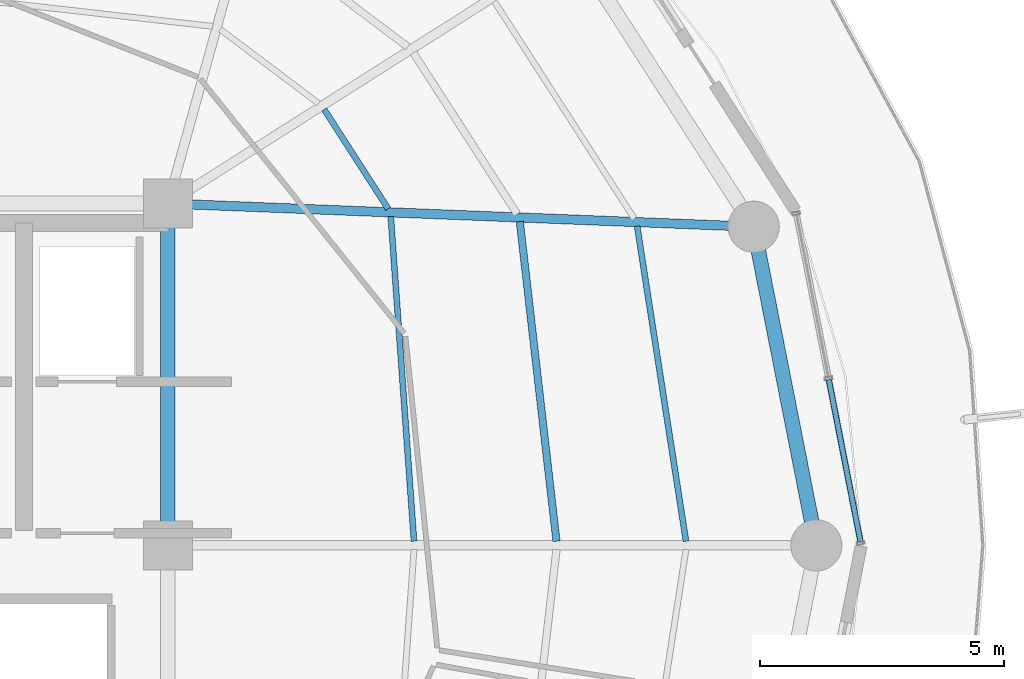
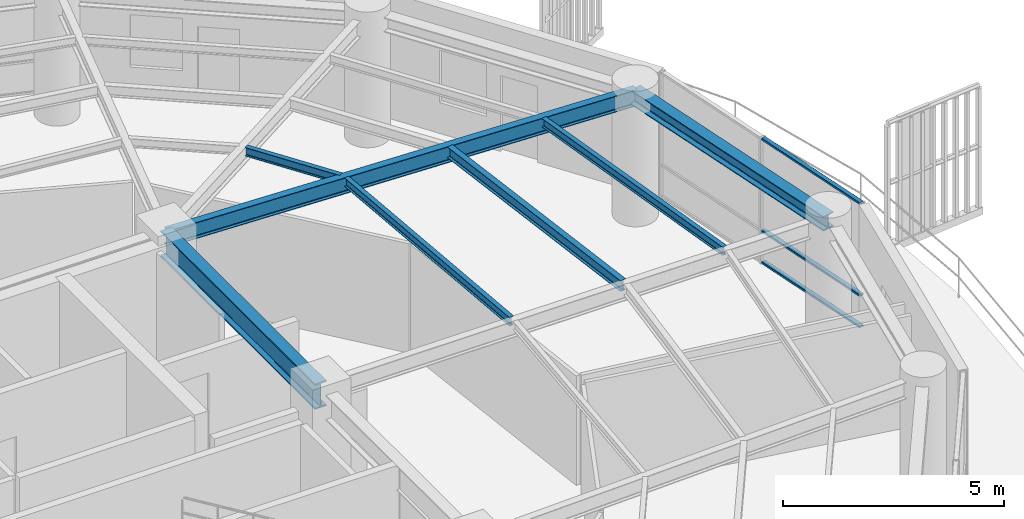
# One storey, part 15 of 31: 7 beams, 3 members, 1 element without a shape of its own.
"""IFC4 building model written with IfcOpenShell, lengths in metres."""

from ifc_helpers import new_model, si_unit, direction, frame, origin, origin_2d, place, context, subcontext, project, spatial, hollow_rectangle, i_section, extrude, material, layer, layer_set, material_profile, profile_set, type_object, element, aggregate, save


model = new_model("IFC4")

# Units and contexts
model_context = context("Model", 3, precision=1e-05, world=origin(), true_north=direction((0.0, 1.0)))
body_context = subcontext(model_context, "Body", "Model", "MODEL_VIEW")
ifc_project = project(units=[si_unit("LENGTHUNIT", "METRE"), si_unit("AREAUNIT", "SQUARE_METRE"), si_unit("VOLUMEUNIT", "CUBIC_METRE"), si_unit("PLANEANGLEUNIT", "RADIAN"), si_unit("MASSUNIT", "GRAM", prefix="KILO")], contexts=[model_context])

# Site, building, storey
site_placement = place(None, origin())
site = spatial("IfcSite", under=ifc_project, at=site_placement, CompositionType="ELEMENT")
building_placement = place(site_placement, origin())
building = spatial("IfcBuilding", under=site, at=building_placement, Name="Kelanora Arch Commons", CompositionType="ELEMENT")
storey_placement = place(building_placement, frame((0.0, 0.0, 226.949951171875)))
storey = spatial("IfcBuildingStorey", under=building, at=storey_placement, Name="L58", CompositionType="ELEMENT", Elevation=226.949951171875)

# Beams
ifc_material_1 = material(Name="Steel S355", Category="steel")
ifc_material_profile_1 = material_profile(ifc_material_1, i_section(OverallWidth=0.300048828125, OverallDepth=0.699951171875, WebThickness=0.01708984375, FlangeThickness=0.031982421875, FilletRadius=0.027099609375, at=origin_2d()), Name="HEB700")
ifc_profile_set_1 = profile_set([ifc_material_profile_1], Name="Steel S355")
beam_type_1 = type_object("IfcBeamType", Name="BM-CORE-HDR", PredefinedType="BEAM", material=ifc_profile_set_1)
beam_1_placement = place(storey_placement, frame((82.0, 58.0, 3.14013671875), z_axis=(0.0, 1.0, 0.0), x_axis=(-1.0, 0.0, 0.0)))
element("IfcBeam", 1, at=beam_1_placement, inside=storey, type_object=beam_type_1, Name="Core Header Beam 04 L58", PredefinedType="BEAM", context=body_context, shape_type="SweptSolid", body=[
    extrude(i_section(OverallWidth=0.300048828125, OverallDepth=0.699951171875, WebThickness=0.01708984375, FlangeThickness=0.031982421875, FilletRadius=0.027099609375, at=origin_2d()), origin(), (0.0, 0.0, 1.0), 7.0),
])
ifc_material_profile_2 = material_profile(ifc_material_1, i_section(OverallWidth=0.14990234375, OverallDepth=0.300048828125, WebThickness=0.007080078125, FlangeThickness=0.0107421875, FilletRadius=0.014892578125, at=origin_2d()), Name="IPE300")
ifc_profile_set_2 = profile_set([ifc_material_profile_2], Name="Steel S355")
beam_type_2 = type_object("IfcBeamType", Name="BM-JST-01", PredefinedType="JOIST", material=ifc_profile_set_2)
beam_2_placement = place(storey_placement, frame((89.958251953125, 58.08447265625, 3.340087890625), z_axis=(-0.113891408177, 0.993493204377, 0.0), x_axis=(-0.993493204377, -0.113891408177, 0.0)))
element("IfcBeam", 2, at=beam_2_placement, inside=storey, type_object=beam_type_2, Name="Secondary Chord Joist BJB-00 L58", PredefinedType="JOIST", context=body_context, shape_type="SweptSolid", body=[
    extrude(i_section(OverallWidth=0.14990234375, OverallDepth=0.300048828125, WebThickness=0.007080078125, FlangeThickness=0.0107421875, FilletRadius=0.014892578125, at=origin_2d()), origin(), (0.0, 0.0, 1.0), 6.589599609375),
])
ifc_material_profile_3 = material_profile(ifc_material_1, i_section(OverallWidth=0.1201171875, OverallDepth=0.239990234375, WebThickness=0.006103515625, FlangeThickness=0.009765625, FilletRadius=0.014892578125, at=origin_2d()), Name="IPE240")
ifc_profile_set_3 = profile_set([ifc_material_profile_3], Name="Steel S355")
beam_type_3 = type_object("IfcBeamType", Name="BM-JST-02", PredefinedType="JOIST", material=ifc_profile_set_3)
beam_3_placement = place(storey_placement, frame((87.040283203125, 58.084716796875, 3.3701171875), z_axis=(-0.07133032136, 0.997452748382, 0.0), x_axis=(-0.997452748382, -0.07133032136, 0.0)))
element("IfcBeam", 3, at=beam_3_placement, inside=storey, type_object=beam_type_3, Name="Secondary Chord Joist BJA-00 L58", PredefinedType="JOIST", context=body_context, shape_type="SweptSolid", body=[
    extrude(i_section(OverallWidth=0.1201171875, OverallDepth=0.239990234375, WebThickness=0.006103515625, FlangeThickness=0.009765625, FilletRadius=0.014892578125, at=origin_2d()), origin(), (0.0, 0.0, 1.0), 6.66748046875),
])
beam_4_placement = place(storey_placement, frame((92.611083984375, 58.083984375, 3.3701171875), z_axis=(-0.153256756152, 0.988186402808, 0.0), x_axis=(-0.988186402808, -0.153256756152, 0.0)))
element("IfcBeam", 4, at=beam_4_placement, inside=storey, type_object=beam_type_3, Name="Secondary Chord Joist BJC-00 L58", PredefinedType="JOIST", context=body_context, shape_type="SweptSolid", body=[
    extrude(i_section(OverallWidth=0.1201171875, OverallDepth=0.239990234375, WebThickness=0.006103515625, FlangeThickness=0.009765625, FilletRadius=0.014892578125, at=origin_2d()), origin(), (0.0, 0.0, 1.0), 6.52978515625),
])
beam_5_placement = place(storey_placement, frame((86.5126953125, 64.89111328125, 3.3701171875), z_axis=(-0.541332763503, 0.840808443796, 0.0), x_axis=(-0.840808443796, -0.541332763503, 0.0)))
element("IfcBeam", 5, at=beam_5_placement, inside=storey, type_object=beam_type_3, Name="Secondary Chord Joist BJA-02 L58", PredefinedType="JOIST", context=body_context, shape_type="SweptSolid", body=[
    extrude(i_section(OverallWidth=0.1201171875, OverallDepth=0.239990234375, WebThickness=0.006103515625, FlangeThickness=0.009765625, FilletRadius=0.014892578125, at=origin_2d()), origin(), (0.0, 0.0, 1.0), 2.423583984375),
])
ifc_material_profile_4 = material_profile(ifc_material_1, i_section(OverallWidth=0.18994140625, OverallDepth=0.449951171875, WebThickness=0.009521484375, FlangeThickness=0.0146484375, FilletRadius=0.02099609375, at=origin_2d()), Name="IPE450")
ifc_profile_set_4 = profile_set([ifc_material_profile_4], Name="Steel S355")
beam_type_4 = type_object("IfcBeamType", Name="BM-RAD-Z4", PredefinedType="BEAM", material=ifc_profile_set_4)
beam_6_placement = place(storey_placement, frame((82.0, 65.0, 3.26513671875), z_axis=(0.999219142585, -0.03951082246, 0.0), x_axis=(0.03951082246, 0.999219142585, 0.0)))
element("IfcBeam", 6, at=beam_6_placement, inside=storey, type_object=beam_type_4, Name="Radial Floor Girder BR-02 L58", PredefinedType="BEAM", context=body_context, shape_type="SweptSolid", body=[
    extrude(i_section(OverallWidth=0.18994140625, OverallDepth=0.449951171875, WebThickness=0.009521484375, FlangeThickness=0.0146484375, FilletRadius=0.02099609375, at=origin_2d()), origin(), (0.0, 0.0, 1.0), 12.005859375),
])
ifc_material_profile_5 = material_profile(ifc_material_1, i_section(OverallWidth=0.300048828125, OverallDepth=0.39990234375, WebThickness=0.013427734375, FlangeThickness=0.02392578125, FilletRadius=0.027099609375, at=origin_2d()), Name="HEB400")
ifc_profile_set_5 = profile_set([ifc_material_profile_5], Name="Steel S355")
beam_type_5 = type_object("IfcBeamType", Name="BM-SPN-Z4", PredefinedType="SPANDREL", material=ifc_profile_set_5)
beam_7_placement = place(storey_placement, frame((95.280029296875, 58.0, 3.2900390625), z_axis=(-0.192980724826, 0.981202547819, 0.0), x_axis=(-0.981202547819, -0.192980724826, 0.0)))
element("IfcBeam", 7, at=beam_7_placement, inside=storey, type_object=beam_type_5, Name="Perimeter Spandrel Beam BS-00 L58", PredefinedType="SPANDREL", context=body_context, shape_type="SweptSolid", body=[
    extrude(i_section(OverallWidth=0.300048828125, OverallDepth=0.39990234375, WebThickness=0.013427734375, FlangeThickness=0.02392578125, FilletRadius=0.027099609375, at=origin_2d()), origin(), (0.0, 0.0, 1.0), 6.650634765625),
])

# Curtain wall, members
ifc_material_2 = material(Name="Terracotta ceramic-fritted low-E glass and aluminium", Category="masonry")
ifc_layer = layer(ifc_material_2, 0.175048828125)
ifc_layer_set = layer_set([ifc_layer], Name="Terracotta ceramic-fritted low-E glass and aluminium")
curtain_wall_type = type_object("IfcCurtainWallType", Name="CW-SYS-02", PredefinedType="NOTDEFINED", material=ifc_layer_set)
curtain_wall_placement = place(storey_placement, origin())
curtain_wall = element("IfcCurtainWall", 8, at=curtain_wall_placement, inside=storey, type_object=curtain_wall_type, Name="Unitised Curtain Wall L58-B00", PredefinedType="NOTDEFINED")
ifc_material_3 = material(Name="Powder-coated aluminium terracotta", Category="masonry")
ifc_material_profile_6 = material_profile(ifc_material_3, hollow_rectangle(XDim=0.1201171875, YDim=0.06005859375, WallThickness=0.0048828125, InnerFilletRadius=0.0048828125, OuterFilletRadius=0.010009765625, at=origin_2d()), Name="CWT120x60")
ifc_profile_set_6 = profile_set([ifc_material_profile_6], Name="Powder-coated aluminium terracotta")
member_type = type_object("IfcMemberType", Name="CWT-STD", PredefinedType="USERDEFINED", material=ifc_profile_set_6)
member_1_placement = place(storey_placement, frame((96.185546875, 58.073486328125, 0.030029296875), z_axis=(-0.192044874899, 0.981386145218, 0.0), x_axis=(-0.981386145218, -0.192044874899, 0.0)))
member_1 = element("IfcMember", 9, at=member_1_placement, type_object=member_type, Name="CW-02 transom 1.1", ObjectType="TRANSOM", PredefinedType="USERDEFINED", context=body_context, shape_type="SweptSolid", body=[
    extrude(hollow_rectangle(XDim=0.1201171875, YDim=0.06005859375, WallThickness=0.0048828125, InnerFilletRadius=0.0048828125, OuterFilletRadius=0.010009765625, at=origin_2d()), origin(), (0.0, 0.0, 1.0), 3.38037109375),
])
member_2_placement = place(storey_placement, frame((96.185546875, 58.073486328125, 0.900146484375), z_axis=(-0.192044874899, 0.981386145218, 0.0), x_axis=(-0.981386145218, -0.192044874899, 0.0)))
member_2 = element("IfcMember", 10, at=member_2_placement, type_object=member_type, Name="CW-02 transom 1.2", ObjectType="TRANSOM", PredefinedType="USERDEFINED", context=body_context, shape_type="SweptSolid", body=[
    extrude(hollow_rectangle(XDim=0.1201171875, YDim=0.06005859375, WallThickness=0.0048828125, InnerFilletRadius=0.0048828125, OuterFilletRadius=0.010009765625, at=origin_2d()), origin(), (0.0, 0.0, 1.0), 3.38037109375),
])
member_3_placement = place(storey_placement, frame((96.185546875, 58.073486328125, 3.445068359375), z_axis=(-0.192044874899, 0.981386145218, 0.0), x_axis=(-0.981386145218, -0.192044874899, 0.0)))
member_3 = element("IfcMember", 11, at=member_3_placement, type_object=member_type, Name="CW-02 transom 1.3", ObjectType="TRANSOM", PredefinedType="USERDEFINED", context=body_context, shape_type="SweptSolid", body=[
    extrude(hollow_rectangle(XDim=0.1201171875, YDim=0.06005859375, WallThickness=0.0048828125, InnerFilletRadius=0.0048828125, OuterFilletRadius=0.010009765625, at=origin_2d()), origin(), (0.0, 0.0, 1.0), 3.38037109375),
])
aggregate(curtain_wall, [member_1, member_2, member_3])

save(model, "model.ifc")
